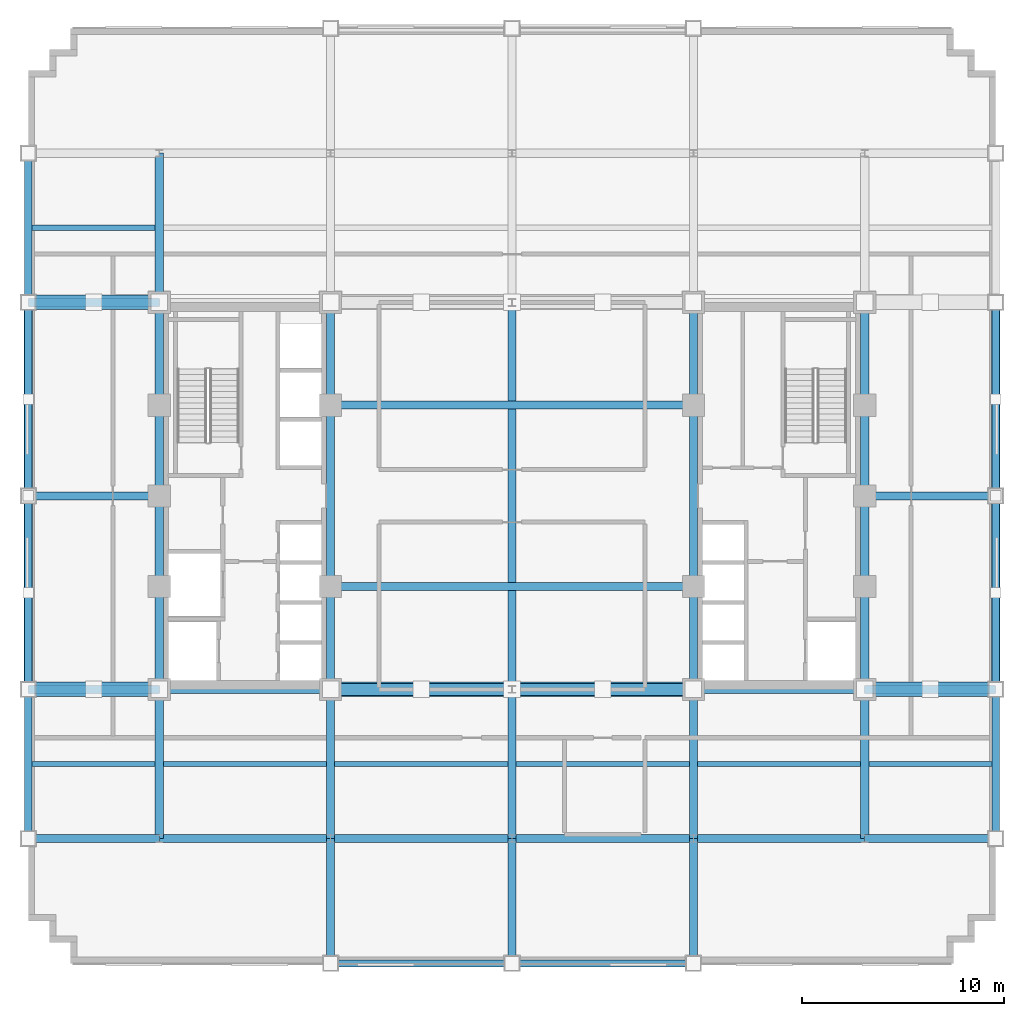
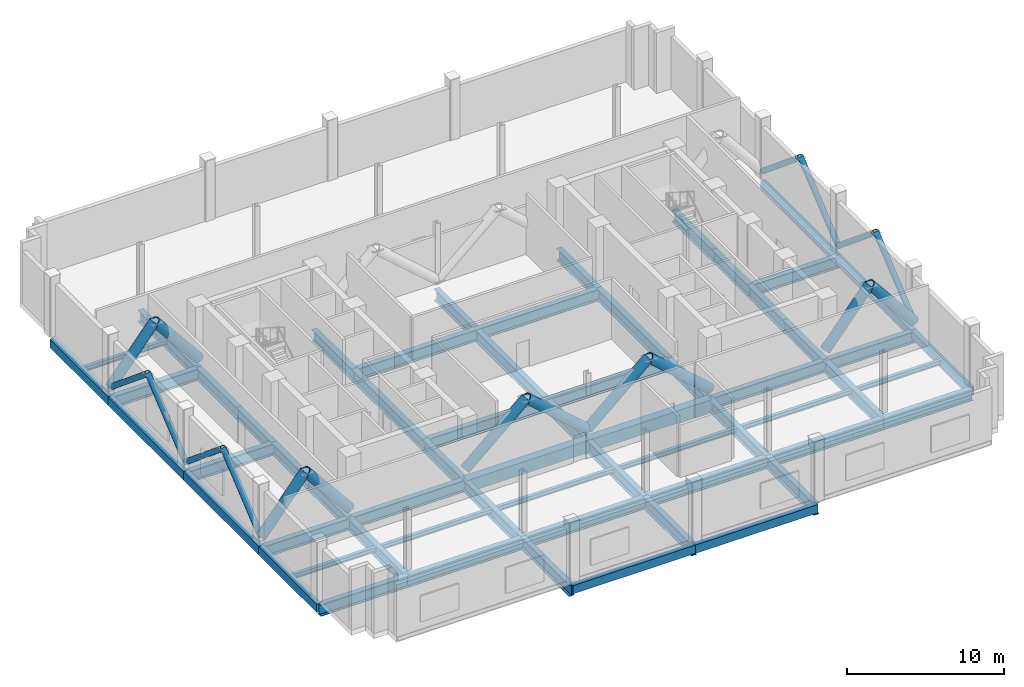
# One storey, part 4 of 12: 57 beams, 18 members.
"""IFC4 building model written with IfcOpenShell, lengths in metres."""

from ifc_helpers import new_model, si_unit, direction, frame, origin, origin_2d, place, context, subcontext, project, spatial, rectangle, hollow_circle, i_section, extrude, material, material_profile, profile_set, type_object, element, save


model = new_model("IFC4")

# Units and contexts
model_context = context("Model", 3, precision=1e-05, world=origin(), true_north=direction((0.0, 1.0)))
body_context = subcontext(model_context, "Body", "Model", "MODEL_VIEW")
ifc_project = project(units=[si_unit("LENGTHUNIT", "METRE"), si_unit("AREAUNIT", "SQUARE_METRE"), si_unit("VOLUMEUNIT", "CUBIC_METRE"), si_unit("PLANEANGLEUNIT", "RADIAN"), si_unit("MASSUNIT", "GRAM", prefix="KILO")], contexts=[model_context])

# Site, building, storey
site_placement = place(None, origin())
site = spatial("IfcSite", under=ifc_project, at=site_placement, CompositionType="ELEMENT")
building_placement = place(site_placement, origin())
building = spatial("IfcBuilding", under=site, at=building_placement, Name="Nuvemarco Arch Tower", CompositionType="ELEMENT")
storey_placement = place(building_placement, frame((0.0, 0.0, 93.300048828125)))
storey = spatial("IfcBuildingStorey", under=building, at=storey_placement, Name="L24", CompositionType="ELEMENT", Elevation=93.300048828125)

# Beams
ifc_material_1 = material(Name="Concrete C60/75", Category="concrete")
ifc_material_profile_1 = material_profile(ifc_material_1, rectangle(XDim=0.60009765625, YDim=0.949951171875, at=origin_2d()), Name="RC-BM-600x950")
ifc_profile_set_1 = profile_set([ifc_material_profile_1], Name="Concrete C60/75")
beam_type_1 = type_object("IfcBeamType", Name="BM-COUP-RC", PredefinedType="LINTEL", material=ifc_profile_set_1)
for number, where, z_axis, x_axis, name in (
    (1, (-9.0, -9.60009765625, -0.875), (1.0, 0.0, 0.0), (0.0, 1.0, 0.0), "L24 structural beam BGEW_L24_0_-9.6_-9.0"),
    (2, (0.0, -9.60009765625, -0.875), (1.0, 0.0, 0.0), (0.0, 1.0, 0.0), "L24 structural beam BGEW_L24_0_-9.6_+0.0"),
):
    element("IfcBeam", number, at=place(storey_placement, frame(where, z_axis=z_axis, x_axis=x_axis)), inside=storey, type_object=beam_type_1, Name=name, PredefinedType="LINTEL", context=body_context, shape_type="SweptSolid", body=[
        extrude(rectangle(XDim=0.60009765625, YDim=0.949951171875, at=origin_2d()), origin(), (0.0, 0.0, 1.0), 9.0),
    ])
ifc_material_2 = material(Name="Steel S355", Category="steel")
ifc_material_profile_2 = material_profile(ifc_material_2, i_section(OverallWidth=0.39990234375, OverallDepth=0.89990234375, WebThickness=0.02197265625, FlangeThickness=0.035888671875, FilletRadius=0.01611328125, at=origin_2d()), Name="PG900x400")
ifc_profile_set_2 = profile_set([ifc_material_profile_2], Name="Steel S355")
beam_type_2 = type_object("IfcBeamType", Name="BM-GIRD-900", PredefinedType="BEAM", material=ifc_profile_set_2)
beam_1_placement = place(storey_placement, frame((-17.5, -17.0, -0.85009765625), z_axis=(0.0, 1.0, 0.0), x_axis=(-1.0, 0.0, 0.0)))
element("IfcBeam", 3, at=beam_1_placement, inside=storey, type_object=beam_type_2, Name="L24 structural beam BGNS_L24_0_-17.5_-17.0", PredefinedType="BEAM", context=body_context, shape_type="SweptSolid", body=[
    extrude(i_section(OverallWidth=0.39990234375, OverallDepth=0.89990234375, WebThickness=0.02197265625, FlangeThickness=0.035888671875, FilletRadius=0.01611328125, at=origin_2d()), origin(), (0.0, 0.0, 1.0), 7.39990234375),
])
beam_2_placement = place(storey_placement, frame((-17.5, -9.60009765625, -0.85009765625), z_axis=(0.0, 1.0, 0.0), x_axis=(-1.0, 0.0, 0.0)))
element("IfcBeam", 4, at=beam_2_placement, inside=storey, type_object=beam_type_2, Name="L24 structural beam BGNS_L24_0_-17.5_-9.6", PredefinedType="BEAM", context=body_context, shape_type="SweptSolid", body=[
    extrude(i_section(OverallWidth=0.39990234375, OverallDepth=0.89990234375, WebThickness=0.02197265625, FlangeThickness=0.035888671875, FilletRadius=0.01611328125, at=origin_2d()), origin(), (0.0, 0.0, 1.0), 5.10009765625),
])
for number, where, z_axis, x_axis, name in (
    (5, (-17.5, -4.5, -0.85009765625), (0.0, 1.0, 0.0), (-1.0, 0.0, 0.0), "L24 structural beam BGNS_L24_0_-17.5_-4.5"),
    (6, (-17.5, 0.0, -0.85009765625), (0.0, 1.0, 0.0), (-1.0, 0.0, 0.0), "L24 structural beam BGNS_L24_0_-17.5_+0.0"),
):
    element("IfcBeam", number, at=place(storey_placement, frame(where, z_axis=z_axis, x_axis=x_axis)), inside=storey, type_object=beam_type_2, Name=name, PredefinedType="BEAM", context=body_context, shape_type="SweptSolid", body=[
        extrude(i_section(OverallWidth=0.39990234375, OverallDepth=0.89990234375, WebThickness=0.02197265625, FlangeThickness=0.035888671875, FilletRadius=0.01611328125, at=origin_2d()), origin(), (0.0, 0.0, 1.0), 4.5),
    ])
beam_3_placement = place(storey_placement, frame((-17.5, 4.5, -0.85009765625), z_axis=(0.0, 1.0, 0.0), x_axis=(-1.0, 0.0, 0.0)))
element("IfcBeam", 7, at=beam_3_placement, inside=storey, type_object=beam_type_2, Name="L24 structural beam BGNS_L24_0_-17.5_+4.5", PredefinedType="BEAM", context=body_context, shape_type="SweptSolid", body=[
    extrude(i_section(OverallWidth=0.39990234375, OverallDepth=0.89990234375, WebThickness=0.02197265625, FlangeThickness=0.035888671875, FilletRadius=0.01611328125, at=origin_2d()), origin(), (0.0, 0.0, 1.0), 5.10009765625),
])
beam_4_placement = place(storey_placement, frame((-17.5, 9.60009765625, -0.85009765625), z_axis=(0.0, 1.0, 0.0), x_axis=(-1.0, 0.0, 0.0)))
element("IfcBeam", 8, at=beam_4_placement, inside=storey, type_object=beam_type_2, Name="L24 structural beam BGNS_L24_0_-17.5_+9.6", PredefinedType="BEAM", context=body_context, shape_type="SweptSolid", body=[
    extrude(i_section(OverallWidth=0.39990234375, OverallDepth=0.89990234375, WebThickness=0.02197265625, FlangeThickness=0.035888671875, FilletRadius=0.01611328125, at=origin_2d()), origin(), (0.0, 0.0, 1.0), 7.39990234375),
])
beam_5_placement = place(storey_placement, frame((-9.0, -23.199951171875, -0.85009765625), z_axis=(0.0, 1.0, 0.0), x_axis=(-1.0, 0.0, 0.0)))
element("IfcBeam", 9, at=beam_5_placement, inside=storey, type_object=beam_type_2, Name="L24 structural beam BGNS_L24_0_-9.0_-23.2", PredefinedType="BEAM", context=body_context, shape_type="SweptSolid", body=[
    extrude(i_section(OverallWidth=0.39990234375, OverallDepth=0.89990234375, WebThickness=0.02197265625, FlangeThickness=0.035888671875, FilletRadius=0.01611328125, at=origin_2d()), origin(), (0.0, 0.0, 1.0), 6.199951171875),
])
beam_6_placement = place(storey_placement, frame((-9.0, -17.0, -0.85009765625), z_axis=(0.0, 1.0, 0.0), x_axis=(-1.0, 0.0, 0.0)))
element("IfcBeam", 10, at=beam_6_placement, inside=storey, type_object=beam_type_2, Name="L24 structural beam BGNS_L24_0_-9.0_-17.0", PredefinedType="BEAM", context=body_context, shape_type="SweptSolid", body=[
    extrude(i_section(OverallWidth=0.39990234375, OverallDepth=0.89990234375, WebThickness=0.02197265625, FlangeThickness=0.035888671875, FilletRadius=0.01611328125, at=origin_2d()), origin(), (0.0, 0.0, 1.0), 7.39990234375),
])
beam_7_placement = place(storey_placement, frame((-9.0, -9.60009765625, -0.85009765625), z_axis=(0.0, 1.0, 0.0), x_axis=(-1.0, 0.0, 0.0)))
element("IfcBeam", 11, at=beam_7_placement, inside=storey, type_object=beam_type_2, Name="L24 structural beam BGNS_L24_0_-9.0_-9.6", PredefinedType="BEAM", context=body_context, shape_type="SweptSolid", body=[
    extrude(i_section(OverallWidth=0.39990234375, OverallDepth=0.89990234375, WebThickness=0.02197265625, FlangeThickness=0.035888671875, FilletRadius=0.01611328125, at=origin_2d()), origin(), (0.0, 0.0, 1.0), 5.10009765625),
])
beam_8_placement = place(storey_placement, frame((-9.0, -4.5, -0.85009765625), z_axis=(0.0, 1.0, 0.0), x_axis=(-1.0, 0.0, 0.0)))
element("IfcBeam", 12, at=beam_8_placement, inside=storey, type_object=beam_type_2, Name="L24 structural beam BGNS_L24_0_-9.0_-4.5", PredefinedType="BEAM", context=body_context, shape_type="SweptSolid", body=[
    extrude(i_section(OverallWidth=0.39990234375, OverallDepth=0.89990234375, WebThickness=0.02197265625, FlangeThickness=0.035888671875, FilletRadius=0.01611328125, at=origin_2d()), origin(), (0.0, 0.0, 1.0), 9.0),
])
beam_9_placement = place(storey_placement, frame((-9.0, 4.5, -0.85009765625), z_axis=(0.0, 1.0, 0.0), x_axis=(-1.0, 0.0, 0.0)))
element("IfcBeam", 13, at=beam_9_placement, inside=storey, type_object=beam_type_2, Name="L24 structural beam BGNS_L24_0_-9.0_+4.5", PredefinedType="BEAM", context=body_context, shape_type="SweptSolid", body=[
    extrude(i_section(OverallWidth=0.39990234375, OverallDepth=0.89990234375, WebThickness=0.02197265625, FlangeThickness=0.035888671875, FilletRadius=0.01611328125, at=origin_2d()), origin(), (0.0, 0.0, 1.0), 5.10009765625),
])
beam_10_placement = place(storey_placement, frame((0.0, -23.199951171875, -0.85009765625), z_axis=(0.0, 1.0, 0.0), x_axis=(-1.0, 0.0, 0.0)))
element("IfcBeam", 14, at=beam_10_placement, inside=storey, type_object=beam_type_2, Name="L24 structural beam BGNS_L24_0_+0.0_-23.2", PredefinedType="BEAM", context=body_context, shape_type="SweptSolid", body=[
    extrude(i_section(OverallWidth=0.39990234375, OverallDepth=0.89990234375, WebThickness=0.02197265625, FlangeThickness=0.035888671875, FilletRadius=0.01611328125, at=origin_2d()), origin(), (0.0, 0.0, 1.0), 6.199951171875),
])
beam_11_placement = place(storey_placement, frame((0.0, -17.0, -0.85009765625), z_axis=(0.0, 1.0, 0.0), x_axis=(-1.0, 0.0, 0.0)))
element("IfcBeam", 15, at=beam_11_placement, inside=storey, type_object=beam_type_2, Name="L24 structural beam BGNS_L24_0_+0.0_-17.0", PredefinedType="BEAM", context=body_context, shape_type="SweptSolid", body=[
    extrude(i_section(OverallWidth=0.39990234375, OverallDepth=0.89990234375, WebThickness=0.02197265625, FlangeThickness=0.035888671875, FilletRadius=0.01611328125, at=origin_2d()), origin(), (0.0, 0.0, 1.0), 7.39990234375),
])
beam_12_placement = place(storey_placement, frame((0.0, -9.60009765625, -0.85009765625), z_axis=(0.0, 1.0, 0.0), x_axis=(-1.0, 0.0, 0.0)))
element("IfcBeam", 16, at=beam_12_placement, inside=storey, type_object=beam_type_2, Name="L24 structural beam BGNS_L24_0_+0.0_-9.6", PredefinedType="BEAM", context=body_context, shape_type="SweptSolid", body=[
    extrude(i_section(OverallWidth=0.39990234375, OverallDepth=0.89990234375, WebThickness=0.02197265625, FlangeThickness=0.035888671875, FilletRadius=0.01611328125, at=origin_2d()), origin(), (0.0, 0.0, 1.0), 19.2001953125),
])
beam_13_placement = place(storey_placement, frame((9.0, -23.199951171875, -0.85009765625), z_axis=(0.0, 1.0, 0.0), x_axis=(-1.0, 0.0, 0.0)))
element("IfcBeam", 17, at=beam_13_placement, inside=storey, type_object=beam_type_2, Name="L24 structural beam BGNS_L24_0_+9.0_-23.2", PredefinedType="BEAM", context=body_context, shape_type="SweptSolid", body=[
    extrude(i_section(OverallWidth=0.39990234375, OverallDepth=0.89990234375, WebThickness=0.02197265625, FlangeThickness=0.035888671875, FilletRadius=0.01611328125, at=origin_2d()), origin(), (0.0, 0.0, 1.0), 6.199951171875),
])
beam_14_placement = place(storey_placement, frame((9.0, -17.0, -0.85009765625), z_axis=(0.0, 1.0, 0.0), x_axis=(-1.0, 0.0, 0.0)))
element("IfcBeam", 18, at=beam_14_placement, inside=storey, type_object=beam_type_2, Name="L24 structural beam BGNS_L24_0_+9.0_-17.0", PredefinedType="BEAM", context=body_context, shape_type="SweptSolid", body=[
    extrude(i_section(OverallWidth=0.39990234375, OverallDepth=0.89990234375, WebThickness=0.02197265625, FlangeThickness=0.035888671875, FilletRadius=0.01611328125, at=origin_2d()), origin(), (0.0, 0.0, 1.0), 7.39990234375),
])
beam_15_placement = place(storey_placement, frame((9.0, -9.60009765625, -0.85009765625), z_axis=(0.0, 1.0, 0.0), x_axis=(-1.0, 0.0, 0.0)))
element("IfcBeam", 19, at=beam_15_placement, inside=storey, type_object=beam_type_2, Name="L24 structural beam BGNS_L24_0_+9.0_-9.6", PredefinedType="BEAM", context=body_context, shape_type="SweptSolid", body=[
    extrude(i_section(OverallWidth=0.39990234375, OverallDepth=0.89990234375, WebThickness=0.02197265625, FlangeThickness=0.035888671875, FilletRadius=0.01611328125, at=origin_2d()), origin(), (0.0, 0.0, 1.0), 5.10009765625),
])
beam_16_placement = place(storey_placement, frame((9.0, -4.5, -0.85009765625), z_axis=(0.0, 1.0, 0.0), x_axis=(-1.0, 0.0, 0.0)))
element("IfcBeam", 20, at=beam_16_placement, inside=storey, type_object=beam_type_2, Name="L24 structural beam BGNS_L24_0_+9.0_-4.5", PredefinedType="BEAM", context=body_context, shape_type="SweptSolid", body=[
    extrude(i_section(OverallWidth=0.39990234375, OverallDepth=0.89990234375, WebThickness=0.02197265625, FlangeThickness=0.035888671875, FilletRadius=0.01611328125, at=origin_2d()), origin(), (0.0, 0.0, 1.0), 9.0),
])
beam_17_placement = place(storey_placement, frame((9.0, 4.5, -0.85009765625), z_axis=(0.0, 1.0, 0.0), x_axis=(-1.0, 0.0, 0.0)))
element("IfcBeam", 21, at=beam_17_placement, inside=storey, type_object=beam_type_2, Name="L24 structural beam BGNS_L24_0_+9.0_+4.5", PredefinedType="BEAM", context=body_context, shape_type="SweptSolid", body=[
    extrude(i_section(OverallWidth=0.39990234375, OverallDepth=0.89990234375, WebThickness=0.02197265625, FlangeThickness=0.035888671875, FilletRadius=0.01611328125, at=origin_2d()), origin(), (0.0, 0.0, 1.0), 5.10009765625),
])
beam_18_placement = place(storey_placement, frame((17.5, -17.0, -0.85009765625), z_axis=(0.0, 1.0, 0.0), x_axis=(-1.0, 0.0, 0.0)))
element("IfcBeam", 22, at=beam_18_placement, inside=storey, type_object=beam_type_2, Name="L24 structural beam BGNS_L24_0_+17.5_-17.0", PredefinedType="BEAM", context=body_context, shape_type="SweptSolid", body=[
    extrude(i_section(OverallWidth=0.39990234375, OverallDepth=0.89990234375, WebThickness=0.02197265625, FlangeThickness=0.035888671875, FilletRadius=0.01611328125, at=origin_2d()), origin(), (0.0, 0.0, 1.0), 7.39990234375),
])
beam_19_placement = place(storey_placement, frame((17.5, -9.60009765625, -0.85009765625), z_axis=(0.0, 1.0, 0.0), x_axis=(-1.0, 0.0, 0.0)))
element("IfcBeam", 23, at=beam_19_placement, inside=storey, type_object=beam_type_2, Name="L24 structural beam BGNS_L24_0_+17.5_-9.6", PredefinedType="BEAM", context=body_context, shape_type="SweptSolid", body=[
    extrude(i_section(OverallWidth=0.39990234375, OverallDepth=0.89990234375, WebThickness=0.02197265625, FlangeThickness=0.035888671875, FilletRadius=0.01611328125, at=origin_2d()), origin(), (0.0, 0.0, 1.0), 5.10009765625),
])
for number, where, z_axis, x_axis, name in (
    (24, (17.5, -4.5, -0.85009765625), (0.0, 1.0, 0.0), (-1.0, 0.0, 0.0), "L24 structural beam BGNS_L24_0_+17.5_-4.5"),
    (25, (17.5, 0.0, -0.85009765625), (0.0, 1.0, 0.0), (-1.0, 0.0, 0.0), "L24 structural beam BGNS_L24_0_+17.5_+0.0"),
):
    element("IfcBeam", number, at=place(storey_placement, frame(where, z_axis=z_axis, x_axis=x_axis)), inside=storey, type_object=beam_type_2, Name=name, PredefinedType="BEAM", context=body_context, shape_type="SweptSolid", body=[
        extrude(i_section(OverallWidth=0.39990234375, OverallDepth=0.89990234375, WebThickness=0.02197265625, FlangeThickness=0.035888671875, FilletRadius=0.01611328125, at=origin_2d()), origin(), (0.0, 0.0, 1.0), 4.5),
    ])
beam_20_placement = place(storey_placement, frame((17.5, 4.5, -0.85009765625), z_axis=(0.0, 1.0, 0.0), x_axis=(-1.0, 0.0, 0.0)))
element("IfcBeam", 26, at=beam_20_placement, inside=storey, type_object=beam_type_2, Name="L24 structural beam BGNS_L24_0_+17.5_+4.5", PredefinedType="BEAM", context=body_context, shape_type="SweptSolid", body=[
    extrude(i_section(OverallWidth=0.39990234375, OverallDepth=0.89990234375, WebThickness=0.02197265625, FlangeThickness=0.035888671875, FilletRadius=0.01611328125, at=origin_2d()), origin(), (0.0, 0.0, 1.0), 5.10009765625),
])
beam_21_placement = place(storey_placement, frame((-24.0, -17.0, -0.85009765625), z_axis=(1.0, 0.0, 0.0), x_axis=(0.0, 1.0, 0.0)))
element("IfcBeam", 27, at=beam_21_placement, inside=storey, type_object=beam_type_2, Name="L24 structural beam BGEW_L24_0_-17.0_-24.0", PredefinedType="BEAM", context=body_context, shape_type="SweptSolid", body=[
    extrude(i_section(OverallWidth=0.39990234375, OverallDepth=0.89990234375, WebThickness=0.02197265625, FlangeThickness=0.035888671875, FilletRadius=0.01611328125, at=origin_2d()), origin(), (0.0, 0.0, 1.0), 6.5),
])
beam_22_placement = place(storey_placement, frame((-17.5, -17.0, -0.85009765625), z_axis=(1.0, 0.0, 0.0), x_axis=(0.0, 1.0, 0.0)))
element("IfcBeam", 28, at=beam_22_placement, inside=storey, type_object=beam_type_2, Name="L24 structural beam BGEW_L24_0_-17.0_-17.5", PredefinedType="BEAM", context=body_context, shape_type="SweptSolid", body=[
    extrude(i_section(OverallWidth=0.39990234375, OverallDepth=0.89990234375, WebThickness=0.02197265625, FlangeThickness=0.035888671875, FilletRadius=0.01611328125, at=origin_2d()), origin(), (0.0, 0.0, 1.0), 8.5),
])
for number, where, z_axis, x_axis, name in (
    (29, (-9.0, -17.0, -0.85009765625), (1.0, 0.0, 0.0), (0.0, 1.0, 0.0), "L24 structural beam BGEW_L24_0_-17.0_-9.0"),
    (30, (0.0, -17.0, -0.85009765625), (1.0, 0.0, 0.0), (0.0, 1.0, 0.0), "L24 structural beam BGEW_L24_0_-17.0_+0.0"),
):
    element("IfcBeam", number, at=place(storey_placement, frame(where, z_axis=z_axis, x_axis=x_axis)), inside=storey, type_object=beam_type_2, Name=name, PredefinedType="BEAM", context=body_context, shape_type="SweptSolid", body=[
        extrude(i_section(OverallWidth=0.39990234375, OverallDepth=0.89990234375, WebThickness=0.02197265625, FlangeThickness=0.035888671875, FilletRadius=0.01611328125, at=origin_2d()), origin(), (0.0, 0.0, 1.0), 9.0),
    ])
beam_23_placement = place(storey_placement, frame((9.0, -17.0, -0.85009765625), z_axis=(1.0, 0.0, 0.0), x_axis=(0.0, 1.0, 0.0)))
element("IfcBeam", 31, at=beam_23_placement, inside=storey, type_object=beam_type_2, Name="L24 structural beam BGEW_L24_0_-17.0_+9.0", PredefinedType="BEAM", context=body_context, shape_type="SweptSolid", body=[
    extrude(i_section(OverallWidth=0.39990234375, OverallDepth=0.89990234375, WebThickness=0.02197265625, FlangeThickness=0.035888671875, FilletRadius=0.01611328125, at=origin_2d()), origin(), (0.0, 0.0, 1.0), 8.5),
])
for number, where, z_axis, x_axis, name in (
    (32, (17.5, -17.0, -0.85009765625), (1.0, 0.0, 0.0), (0.0, 1.0, 0.0), "L24 structural beam BGEW_L24_0_-17.0_+17.5"),
    (33, (-24.0, -9.60009765625, -0.85009765625), (1.0, 0.0, 0.0), (0.0, 1.0, 0.0), "L24 structural beam BGEW_L24_0_-9.6_-24.0"),
):
    element("IfcBeam", number, at=place(storey_placement, frame(where, z_axis=z_axis, x_axis=x_axis)), inside=storey, type_object=beam_type_2, Name=name, PredefinedType="BEAM", context=body_context, shape_type="SweptSolid", body=[
        extrude(i_section(OverallWidth=0.39990234375, OverallDepth=0.89990234375, WebThickness=0.02197265625, FlangeThickness=0.035888671875, FilletRadius=0.01611328125, at=origin_2d()), origin(), (0.0, 0.0, 1.0), 6.5),
    ])
for number, where, z_axis, x_axis, name in (
    (34, (-17.5, -9.60009765625, -0.85009765625), (1.0, 0.0, 0.0), (0.0, 1.0, 0.0), "L24 structural beam BGEW_L24_0_-9.6_-17.5"),
    (35, (9.0, -9.60009765625, -0.85009765625), (1.0, 0.0, 0.0), (0.0, 1.0, 0.0), "L24 structural beam BGEW_L24_0_-9.6_+9.0"),
):
    element("IfcBeam", number, at=place(storey_placement, frame(where, z_axis=z_axis, x_axis=x_axis)), inside=storey, type_object=beam_type_2, Name=name, PredefinedType="BEAM", context=body_context, shape_type="SweptSolid", body=[
        extrude(i_section(OverallWidth=0.39990234375, OverallDepth=0.89990234375, WebThickness=0.02197265625, FlangeThickness=0.035888671875, FilletRadius=0.01611328125, at=origin_2d()), origin(), (0.0, 0.0, 1.0), 8.5),
    ])
beam_24_placement = place(storey_placement, frame((17.5, -9.60009765625, -0.85009765625), z_axis=(1.0, 0.0, 0.0), x_axis=(0.0, 1.0, 0.0)))
element("IfcBeam", 36, at=beam_24_placement, inside=storey, type_object=beam_type_2, Name="L24 structural beam BGEW_L24_0_-9.6_+17.5", PredefinedType="BEAM", context=body_context, shape_type="SweptSolid", body=[
    extrude(i_section(OverallWidth=0.39990234375, OverallDepth=0.89990234375, WebThickness=0.02197265625, FlangeThickness=0.035888671875, FilletRadius=0.01611328125, at=origin_2d()), origin(), (0.0, 0.0, 1.0), 6.5),
])
beam_25_placement = place(storey_placement, frame((-9.0, -4.5, -0.85009765625), z_axis=(1.0, 0.0, 0.0), x_axis=(0.0, 1.0, 0.0)))
element("IfcBeam", 37, at=beam_25_placement, inside=storey, type_object=beam_type_2, Name="L24 structural beam BGEW_L24_0_-4.5_-9.0", PredefinedType="BEAM", context=body_context, shape_type="SweptSolid", body=[
    extrude(i_section(OverallWidth=0.39990234375, OverallDepth=0.89990234375, WebThickness=0.02197265625, FlangeThickness=0.035888671875, FilletRadius=0.01611328125, at=origin_2d()), origin(), (0.0, 0.0, 1.0), 18.0),
])
for number, where, z_axis, x_axis, name in (
    (38, (-24.0, 0.0, -0.85009765625), (1.0, 0.0, 0.0), (0.0, 1.0, 0.0), "L24 structural beam BGEW_L24_0_+0.0_-24.0"),
    (39, (17.5, 0.0, -0.85009765625), (1.0, 0.0, 0.0), (0.0, 1.0, 0.0), "L24 structural beam BGEW_L24_0_+0.0_+17.5"),
):
    element("IfcBeam", number, at=place(storey_placement, frame(where, z_axis=z_axis, x_axis=x_axis)), inside=storey, type_object=beam_type_2, Name=name, PredefinedType="BEAM", context=body_context, shape_type="SweptSolid", body=[
        extrude(i_section(OverallWidth=0.39990234375, OverallDepth=0.89990234375, WebThickness=0.02197265625, FlangeThickness=0.035888671875, FilletRadius=0.01611328125, at=origin_2d()), origin(), (0.0, 0.0, 1.0), 6.5),
    ])
beam_26_placement = place(storey_placement, frame((-9.0, 4.5, -0.85009765625), z_axis=(1.0, 0.0, 0.0), x_axis=(0.0, 1.0, 0.0)))
element("IfcBeam", 40, at=beam_26_placement, inside=storey, type_object=beam_type_2, Name="L24 structural beam BGEW_L24_0_+4.5_-9.0", PredefinedType="BEAM", context=body_context, shape_type="SweptSolid", body=[
    extrude(i_section(OverallWidth=0.39990234375, OverallDepth=0.89990234375, WebThickness=0.02197265625, FlangeThickness=0.035888671875, FilletRadius=0.01611328125, at=origin_2d()), origin(), (0.0, 0.0, 1.0), 18.0),
])
beam_27_placement = place(storey_placement, frame((-24.0, 9.60009765625, -0.85009765625), z_axis=(1.0, 0.0, 0.0), x_axis=(0.0, 1.0, 0.0)))
element("IfcBeam", 41, at=beam_27_placement, inside=storey, type_object=beam_type_2, Name="L24 structural beam BGEW_L24_0_+9.6_-24.0", PredefinedType="BEAM", context=body_context, shape_type="SweptSolid", body=[
    extrude(i_section(OverallWidth=0.39990234375, OverallDepth=0.89990234375, WebThickness=0.02197265625, FlangeThickness=0.035888671875, FilletRadius=0.01611328125, at=origin_2d()), origin(), (0.0, 0.0, 1.0), 6.5),
])
ifc_material_profile_3 = material_profile(ifc_material_2, i_section(OverallWidth=0.2548828125, OverallDepth=0.35693359375, WebThickness=0.010498046875, FlangeThickness=0.018310546875, FilletRadius=0.014892578125, at=origin_2d()), Name="W360x101")
ifc_profile_set_3 = profile_set([ifc_material_profile_3], Name="Steel S355")
beam_type_3 = type_object("IfcBeamType", Name="BM-JOIST-360H", PredefinedType="JOIST", material=ifc_profile_set_3)
beam_28_placement = place(storey_placement, frame((-23.824951171875, -13.300048828125, -0.57861328125), z_axis=(1.0, 0.0, 0.0), x_axis=(0.0, 1.0, 0.0)))
element("IfcBeam", 42, at=beam_28_placement, inside=storey, type_object=beam_type_3, Name="L24 structural beam BJ_L24_0_-13.3_-24.0", PredefinedType="JOIST", context=body_context, shape_type="SweptSolid", body=[
    extrude(i_section(OverallWidth=0.2548828125, OverallDepth=0.35693359375, WebThickness=0.010498046875, FlangeThickness=0.018310546875, FilletRadius=0.014892578125, at=origin_2d()), origin(), (0.0, 0.0, 1.0), 6.125),
])
beam_29_placement = place(storey_placement, frame((-17.300048828125, -13.300048828125, -0.57861328125), z_axis=(1.0, 0.0, 0.0), x_axis=(0.0, 1.0, 0.0)))
element("IfcBeam", 43, at=beam_29_placement, inside=storey, type_object=beam_type_3, Name="L24 structural beam BJ_L24_0_-13.3_-17.5", PredefinedType="JOIST", context=body_context, shape_type="SweptSolid", body=[
    extrude(i_section(OverallWidth=0.2548828125, OverallDepth=0.35693359375, WebThickness=0.010498046875, FlangeThickness=0.018310546875, FilletRadius=0.014892578125, at=origin_2d()), origin(), (0.0, 0.0, 1.0), 8.10009765625),
])
for number, where, z_axis, x_axis, name in (
    (44, (-8.800048828125, -13.300048828125, -0.57861328125), (1.0, 0.0, 0.0), (0.0, 1.0, 0.0), "L24 structural beam BJ_L24_0_-13.3_-9.0"),
    (45, (0.199951171875, -13.300048828125, -0.57861328125), (1.0, 0.0, 0.0), (0.0, 1.0, 0.0), "L24 structural beam BJ_L24_0_-13.3_+0.0"),
):
    element("IfcBeam", number, at=place(storey_placement, frame(where, z_axis=z_axis, x_axis=x_axis)), inside=storey, type_object=beam_type_3, Name=name, PredefinedType="JOIST", context=body_context, shape_type="SweptSolid", body=[
        extrude(i_section(OverallWidth=0.2548828125, OverallDepth=0.35693359375, WebThickness=0.010498046875, FlangeThickness=0.018310546875, FilletRadius=0.014892578125, at=origin_2d()), origin(), (0.0, 0.0, 1.0), 8.60009765625),
    ])
beam_30_placement = place(storey_placement, frame((9.199951171875, -13.300048828125, -0.57861328125), z_axis=(1.0, 0.0, 0.0), x_axis=(0.0, 1.0, 0.0)))
element("IfcBeam", 46, at=beam_30_placement, inside=storey, type_object=beam_type_3, Name="L24 structural beam BJ_L24_0_-13.3_+9.0", PredefinedType="JOIST", context=body_context, shape_type="SweptSolid", body=[
    extrude(i_section(OverallWidth=0.2548828125, OverallDepth=0.35693359375, WebThickness=0.010498046875, FlangeThickness=0.018310546875, FilletRadius=0.014892578125, at=origin_2d()), origin(), (0.0, 0.0, 1.0), 8.10009765625),
])
for number, where, z_axis, x_axis, name in (
    (47, (17.699951171875, -13.300048828125, -0.57861328125), (1.0, 0.0, 0.0), (0.0, 1.0, 0.0), "L24 structural beam BJ_L24_0_-13.3_+17.5"),
    (48, (-23.824951171875, 13.300048828125, -0.57861328125), (1.0, 0.0, 0.0), (0.0, 1.0, 0.0), "L24 structural beam BJ_L24_0_+13.3_-24.0"),
):
    element("IfcBeam", number, at=place(storey_placement, frame(where, z_axis=z_axis, x_axis=x_axis)), inside=storey, type_object=beam_type_3, Name=name, PredefinedType="JOIST", context=body_context, shape_type="SweptSolid", body=[
        extrude(i_section(OverallWidth=0.2548828125, OverallDepth=0.35693359375, WebThickness=0.010498046875, FlangeThickness=0.018310546875, FilletRadius=0.014892578125, at=origin_2d()), origin(), (0.0, 0.0, 1.0), 6.125),
    ])
ifc_material_3 = material(Name="Precast concrete C45/55", Category="concrete")
ifc_material_profile_4 = material_profile(ifc_material_3, rectangle(XDim=0.35009765625, YDim=0.64990234375, at=origin_2d()), Name="PC-SP-350x650")
ifc_profile_set_4 = profile_set([ifc_material_profile_4], Name="Precast concrete C45/55")
beam_type_4 = type_object("IfcBeamType", Name="BM-SPAN-RC", PredefinedType="SPANDREL", material=ifc_profile_set_4)
beam_31_placement = place(storey_placement, frame((-24.0, -17.0, -0.72509765625), z_axis=(0.0, 1.0, 0.0), x_axis=(-1.0, 0.0, 0.0)))
element("IfcBeam", 49, at=beam_31_placement, inside=storey, type_object=beam_type_4, Name="L24 structural beam BGNS_L24_0_-24.0_-17.0", PredefinedType="SPANDREL", context=body_context, shape_type="SweptSolid", body=[
    extrude(rectangle(XDim=0.35009765625, YDim=0.64990234375, at=origin_2d()), origin(), (0.0, 0.0, 1.0), 7.39990234375),
])
for number, where, z_axis, x_axis, name in (
    (50, (-24.0, -9.60009765625, -0.72509765625), (0.0, 1.0, 0.0), (-1.0, 0.0, 0.0), "L24 structural beam BGNS_L24_0_-24.0_-9.6"),
    (51, (-24.0, 0.0, -0.72509765625), (0.0, 1.0, 0.0), (-1.0, 0.0, 0.0), "L24 structural beam BGNS_L24_0_-24.0_+0.0"),
):
    element("IfcBeam", number, at=place(storey_placement, frame(where, z_axis=z_axis, x_axis=x_axis)), inside=storey, type_object=beam_type_4, Name=name, PredefinedType="SPANDREL", context=body_context, shape_type="SweptSolid", body=[
        extrude(rectangle(XDim=0.35009765625, YDim=0.64990234375, at=origin_2d()), origin(), (0.0, 0.0, 1.0), 9.60009765625),
    ])
for number, where, z_axis, x_axis, name in (
    (52, (-24.0, 9.60009765625, -0.72509765625), (0.0, 1.0, 0.0), (-1.0, 0.0, 0.0), "L24 structural beam BGNS_L24_0_-24.0_+9.6"),
    (53, (24.0, -17.0, -0.72509765625), (0.0, 1.0, 0.0), (-1.0, 0.0, 0.0), "L24 structural beam BGNS_L24_0_+24.0_-17.0"),
):
    element("IfcBeam", number, at=place(storey_placement, frame(where, z_axis=z_axis, x_axis=x_axis)), inside=storey, type_object=beam_type_4, Name=name, PredefinedType="SPANDREL", context=body_context, shape_type="SweptSolid", body=[
        extrude(rectangle(XDim=0.35009765625, YDim=0.64990234375, at=origin_2d()), origin(), (0.0, 0.0, 1.0), 7.39990234375),
    ])
for number, where, z_axis, x_axis, name in (
    (54, (24.0, -9.60009765625, -0.72509765625), (0.0, 1.0, 0.0), (-1.0, 0.0, 0.0), "L24 structural beam BGNS_L24_0_+24.0_-9.6"),
    (55, (24.0, 0.0, -0.72509765625), (0.0, 1.0, 0.0), (-1.0, 0.0, 0.0), "L24 structural beam BGNS_L24_0_+24.0_+0.0"),
):
    element("IfcBeam", number, at=place(storey_placement, frame(where, z_axis=z_axis, x_axis=x_axis)), inside=storey, type_object=beam_type_4, Name=name, PredefinedType="SPANDREL", context=body_context, shape_type="SweptSolid", body=[
        extrude(rectangle(XDim=0.35009765625, YDim=0.64990234375, at=origin_2d()), origin(), (0.0, 0.0, 1.0), 9.60009765625),
    ])
for number, where, z_axis, x_axis, name in (
    (56, (-9.0, -23.199951171875, -0.72509765625), (1.0, 0.0, 0.0), (0.0, 1.0, 0.0), "L24 structural beam BGEW_L24_0_-23.2_-9.0"),
    (57, (0.0, -23.199951171875, -0.72509765625), (1.0, 0.0, 0.0), (0.0, 1.0, 0.0), "L24 structural beam BGEW_L24_0_-23.2_+0.0"),
):
    element("IfcBeam", number, at=place(storey_placement, frame(where, z_axis=z_axis, x_axis=x_axis)), inside=storey, type_object=beam_type_4, Name=name, PredefinedType="SPANDREL", context=body_context, shape_type="SweptSolid", body=[
        extrude(rectangle(XDim=0.35009765625, YDim=0.64990234375, at=origin_2d()), origin(), (0.0, 0.0, 1.0), 9.0),
    ])

# Members
ifc_material_profile_5 = material_profile(ifc_material_2, hollow_circle(Radius=0.203125, WallThickness=0.02490234375, at=origin_2d()), Name="CHS406.4x25")
ifc_profile_set_5 = profile_set([ifc_material_profile_5], Name="Steel S355")
member_type_1 = type_object("IfcMemberType", Name="MB-BELT-1", PredefinedType="CHORD", material=ifc_profile_set_5)
for number, where, z_axis, x_axis, name in (
    (58, (-24.0, -9.60009765625, 0.300048828125), (0.0, 0.770590115692, 0.637331054945), (-1.0, 0.0, 0.0), "L24 perimeter belt-truss brace W-1"),
    (59, (-24.0, -4.800048828125, 4.27001953125), (0.0, 0.770590115692, -0.637331054945), (-1.0, 0.0, 0.0), "L24 perimeter belt-truss brace W-2"),
    (60, (-24.0, 0.0, 0.300048828125), (0.0, 0.770590115692, 0.637331054945), (-1.0, 0.0, 0.0), "L24 perimeter belt-truss brace W-3"),
    (61, (-24.0, 4.800048828125, 4.27001953125), (0.0, 0.770590115692, -0.637331054945), (-1.0, 0.0, 0.0), "L24 perimeter belt-truss brace W-4"),
    (62, (24.0, -9.60009765625, 0.300048828125), (0.0, 0.770590115692, 0.637331054945), (-1.0, 0.0, 0.0), "L24 perimeter belt-truss brace E-1"),
    (63, (24.0, -4.800048828125, 4.27001953125), (0.0, 0.770590115692, -0.637331054945), (-1.0, 0.0, 0.0), "L24 perimeter belt-truss brace E-2"),
    (64, (24.0, 0.0, 0.300048828125), (0.0, 0.770590115692, 0.637331054945), (-1.0, 0.0, 0.0), "L24 perimeter belt-truss brace E-3"),
    (65, (24.0, 4.800048828125, 4.27001953125), (0.0, 0.770590115692, -0.637331054945), (-1.0, 0.0, 0.0), "L24 perimeter belt-truss brace E-4"),
):
    element("IfcMember", number, at=place(storey_placement, frame(where, z_axis=z_axis, x_axis=x_axis)), inside=storey, type_object=member_type_1, Name=name, PredefinedType="CHORD", context=body_context, shape_type="SweptSolid", body=[
        extrude(hollow_circle(Radius=0.203125, WallThickness=0.02490234375, at=origin_2d()), origin(), (0.0, 0.0, 1.0), 6.22900390625),
    ])
ifc_material_4 = material(Name="Steel S460", Category="steel")
ifc_material_profile_6 = material_profile(ifc_material_4, hollow_circle(Radius=0.35546875, WallThickness=0.050048828125, at=origin_2d()), Name="CHS711x50")
ifc_profile_set_6 = profile_set([ifc_material_profile_6], Name="Steel S460")
member_type_2 = type_object("IfcMemberType", Name="MB-OUTRIGGER-1", PredefinedType="BRACE", material=ifc_profile_set_6)
for number, where, z_axis, x_axis, name in (
    (66, (-24.0, -9.60009765625, 0.300048828125), (0.633452841033, 0.0, 0.77378129868), (0.0, 1.0, 0.0), "L24 outrigger truss brace west 1"),
    (67, (-20.75, -9.60009765625, 4.27001953125), (0.633452841033, 0.0, -0.77378129868), (0.0, 1.0, 0.0), "L24 outrigger truss brace west 2"),
    (68, (17.5, -9.60009765625, 0.300048828125), (0.633452841033, 0.0, 0.77378129868), (0.0, 1.0, 0.0), "L24 outrigger truss brace east 1"),
    (69, (20.75, -9.60009765625, 4.27001953125), (0.633452841033, 0.0, -0.77378129868), (0.0, 1.0, 0.0), "L24 outrigger truss brace east 2"),
):
    element("IfcMember", number, at=place(storey_placement, frame(where, z_axis=z_axis, x_axis=x_axis)), inside=storey, type_object=member_type_2, Name=name, PredefinedType="BRACE", context=body_context, shape_type="SweptSolid", body=[
        extrude(hollow_circle(Radius=0.35546875, WallThickness=0.050048828125, at=origin_2d()), origin(), (0.0, 0.0, 1.0), 5.130615234375),
    ])
for number, where, z_axis, x_axis, name in (
    (70, (-9.0, -9.60009765625, 0.300048828125), (0.749888906109, 0.0, 0.661563775078), (0.0, 1.0, 0.0), "L24 central outrigger link truss brace 1"),
    (71, (-4.5, -9.60009765625, 4.27001953125), (0.749888906109, 0.0, -0.661563775078), (0.0, 1.0, 0.0), "L24 central outrigger link truss brace 2"),
    (72, (0.0, -9.60009765625, 0.300048828125), (0.749888906109, 0.0, 0.661563775078), (0.0, 1.0, 0.0), "L24 central outrigger link truss brace 3"),
    (73, (4.5, -9.60009765625, 4.27001953125), (0.749888906109, 0.0, -0.661563775078), (0.0, 1.0, 0.0), "L24 central outrigger link truss brace 4"),
):
    element("IfcMember", number, at=place(storey_placement, frame(where, z_axis=z_axis, x_axis=x_axis)), inside=storey, type_object=member_type_2, Name=name, PredefinedType="BRACE", context=body_context, shape_type="SweptSolid", body=[
        extrude(hollow_circle(Radius=0.35546875, WallThickness=0.050048828125, at=origin_2d()), origin(), (0.0, 0.0, 1.0), 6.0009765625),
    ])
for number, where, z_axis, x_axis, name in (
    (74, (-24.0, 9.60009765625, 0.300048828125), (0.633452841033, 0.0, 0.77378129868), (0.0, 1.0, 0.0), "L24 outrigger truss brace west 1"),
    (75, (-20.75, 9.60009765625, 4.27001953125), (0.633452841033, 0.0, -0.77378129868), (0.0, 1.0, 0.0), "L24 outrigger truss brace west 2"),
):
    element("IfcMember", number, at=place(storey_placement, frame(where, z_axis=z_axis, x_axis=x_axis)), inside=storey, type_object=member_type_2, Name=name, PredefinedType="BRACE", context=body_context, shape_type="SweptSolid", body=[
        extrude(hollow_circle(Radius=0.35546875, WallThickness=0.050048828125, at=origin_2d()), origin(), (0.0, 0.0, 1.0), 5.130615234375),
    ])

save(model, "model.ifc")
